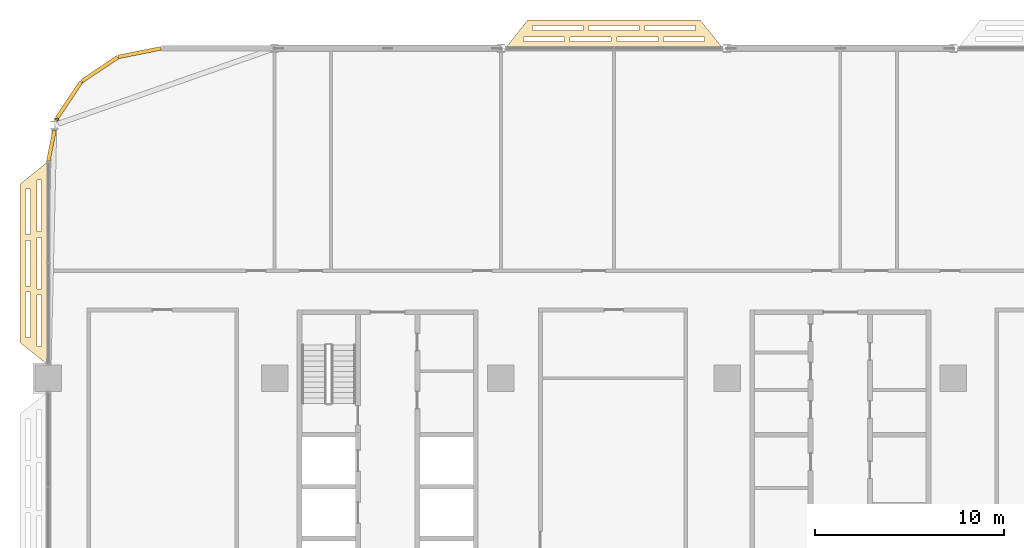
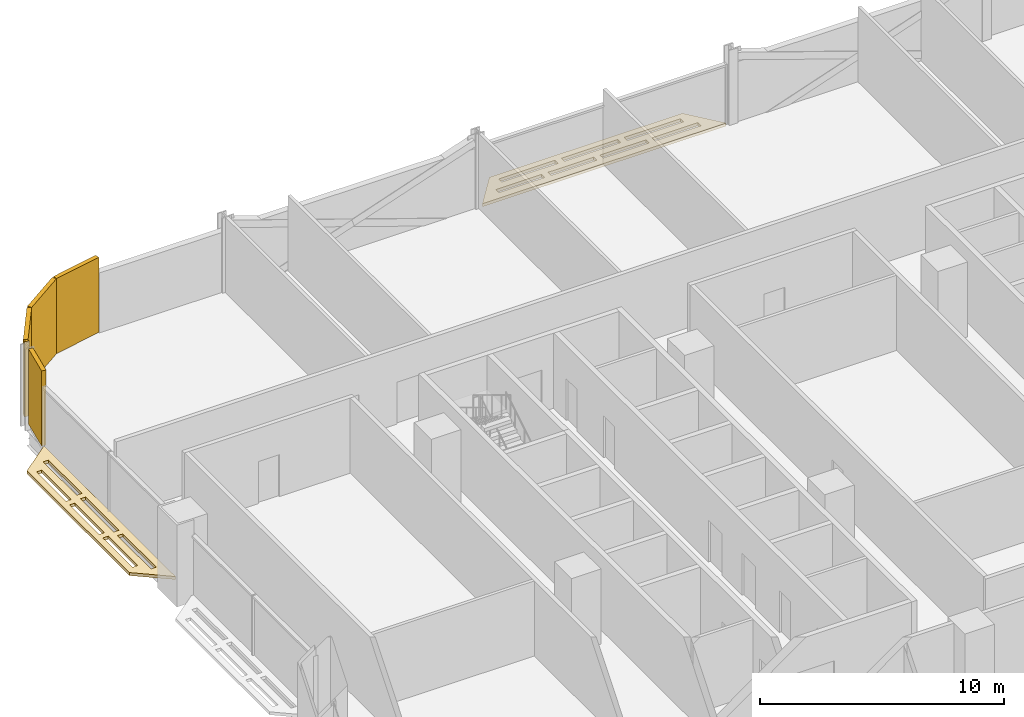
# One storey, part 27 of 29: 7 coverings.
"""IFC4 building model written with IfcOpenShell, lengths in metres."""

from ifc_helpers import new_model, si_unit, direction, frame, origin, origin_2d, place, context, subcontext, project, spatial, polyline, rectangle, outline, extrude, material, layer, layer_set, type_object, element, save


model = new_model("IFC4")

# Units and contexts
model_context = context("Model", 3, precision=1e-05, world=origin(), true_north=direction((0.0, 1.0)))
body_context = subcontext(model_context, "Body", "Model", "MODEL_VIEW")
ifc_project = project(units=[si_unit("LENGTHUNIT", "METRE"), si_unit("AREAUNIT", "SQUARE_METRE"), si_unit("VOLUMEUNIT", "CUBIC_METRE"), si_unit("PLANEANGLEUNIT", "RADIAN"), si_unit("MASSUNIT", "GRAM", prefix="KILO")], contexts=[model_context])

# Site, building, storey
site_placement = place(None, origin())
site = spatial("IfcSite", under=ifc_project, at=site_placement, CompositionType="ELEMENT")
building_placement = place(site_placement, origin())
building = spatial("IfcBuilding", under=site, at=building_placement, Name="Mahtab Terrace Research Tower", CompositionType="ELEMENT")
storey_placement = place(building_placement, frame((0.0, 0.0, 88.89990234375)))
storey = spatial("IfcBuildingStorey", under=building, at=storey_placement, Name="L20", CompositionType="ELEMENT", Elevation=88.89990234375)

# Coverings
ifc_material_1 = material(Name="Black aluminium cladding panel", Category="aluminium")
ifc_layer_1 = layer(ifc_material_1, 0.199951171875)
ifc_layer_set_1 = layer_set([ifc_layer_1], Name="Black metal corner cladding 200")
covering_type_1 = type_object("IfcCoveringType", Name="Black metal corner cladding 200", PredefinedType="CLADDING", material=ifc_layer_set_1)
for number, where, z_axis, x_axis, name in (
    (1, (-37.14794921875, 28.771484375, 0.0), (0.0, 0.0, 1.0), (-0.980760981187, -0.195212442692, 0.0), "Corner cladding L20 11"),
    (2, (-39.26953125, 27.89306640625, 0.0), (0.0, 0.0, 1.0), (-0.831655794326, -0.555291490808, 0.0), "Corner cladding L20 12"),
    (3, (-40.89306640625, 26.26953125, 0.0), (0.0, 0.0, 1.0), (-0.555291490808, -0.831655794326, 0.0), "Corner cladding L20 13"),
):
    element("IfcCovering", number, at=place(storey_placement, frame(where, z_axis=z_axis, x_axis=x_axis)), inside=storey, type_object=covering_type_1, Name=name, PredefinedType="CLADDING", context=body_context, shape_type="SweptSolid", body=[
        extrude(rectangle(XDim=2.30126953125, YDim=0.199951171875, at=origin_2d()), origin(), (0.0, 0.0, 1.0), 3.760009765625),
    ])
covering_1_placement = place(storey_placement, frame((-41.5556640625, 25.231689453125, 0.0), z_axis=(0.0, 0.0, 1.0), x_axis=(-0.195212442692, -0.980760981187, 0.0)))
element("IfcCovering", 4, at=covering_1_placement, inside=storey, type_object=covering_type_1, Name="Corner cladding L20 14", PredefinedType="CLADDING", context=body_context, shape_type="SweptSolid", body=[
    extrude(rectangle(XDim=0.11083984375, YDim=0.199951171875, at=origin_2d()), origin(), (0.0, 0.0, 1.0), 3.760009765625),
])
covering_2_placement = place(storey_placement, frame((-41.833740234375, 23.83544921875, 0.0), z_axis=(0.0, 0.0, 1.0), x_axis=(-0.195212442692, -0.980760981187, 0.0)))
element("IfcCovering", 5, at=covering_2_placement, inside=storey, type_object=covering_type_1, Name="Corner cladding L20 15", PredefinedType="CLADDING", context=body_context, shape_type="SweptSolid", body=[
    extrude(rectangle(XDim=1.6640625, YDim=0.199951171875, at=origin_2d()), origin(), (0.0, 0.0, 1.0), 3.760009765625),
])
ifc_material_2 = material(Name="Black anodised aluminium", Category="aluminium")
ifc_layer_2 = layer(ifc_material_2, 0.14990234375)
ifc_layer_set_2 = layer_set([ifc_layer_2], Name="Horizontal sunshade band")
covering_type_2 = type_object("IfcCoveringType", Name="Horizontal sunshade band", PredefinedType="CLADDING", material=ifc_layer_set_2)
covering_3_placement = place(storey_placement, frame((0.0, 0.0, -0.14990234375)))
element("IfcCovering", 6, at=covering_3_placement, inside=storey, type_object=covering_type_2, Name="Sunshade band L20 8", PredefinedType="CLADDING", context=body_context, shape_type="SweptSolid", body=[
    extrude(outline(polyline([(-6.22802734375, 29.0), (-17.77197265625, 29.0), (-16.572021484375, 30.5), (-7.427978515625, 30.5), (-6.22802734375, 29.0)]), holes=[polyline([(-7.2080078125, 29.35009765625), (-9.37890625, 29.35009765625), (-9.37890625, 29.60009765625), (-7.2080078125, 29.60009765625), (-7.2080078125, 29.35009765625)]), polyline([(-9.678955078125, 29.35009765625), (-11.85009765625, 29.35009765625), (-11.85009765625, 29.60009765625), (-9.678955078125, 29.60009765625), (-9.678955078125, 29.35009765625)]), polyline([(-12.14990234375, 29.35009765625), (-14.321044921875, 29.35009765625), (-14.321044921875, 29.60009765625), (-12.14990234375, 29.60009765625), (-12.14990234375, 29.35009765625)]), polyline([(-14.62109375, 29.35009765625), (-16.7919921875, 29.35009765625), (-16.7919921875, 29.60009765625), (-14.62109375, 29.60009765625), (-14.62109375, 29.35009765625)]), polyline([(-7.68798828125, 29.949951171875), (-10.363037109375, 29.949951171875), (-10.363037109375, 30.199951171875), (-7.68798828125, 30.199951171875), (-7.68798828125, 29.949951171875)]), polyline([(-10.6630859375, 29.949951171875), (-13.3369140625, 29.949951171875), (-13.3369140625, 30.199951171875), (-10.6630859375, 30.199951171875), (-10.6630859375, 29.949951171875)]), polyline([(-13.636962890625, 29.949951171875), (-16.31201171875, 29.949951171875), (-16.31201171875, 30.199951171875), (-13.636962890625, 30.199951171875), (-13.636962890625, 29.949951171875)])]), origin(), (0.0, 0.0, 1.0), 0.14990234375),
])
covering_4_placement = place(storey_placement, frame((0.0, 0.0, -0.14990234375)))
element("IfcCovering", 7, at=covering_4_placement, inside=storey, type_object=covering_type_2, Name="Sunshade band L20 16", PredefinedType="CLADDING", context=body_context, shape_type="SweptSolid", body=[
    extrude(outline(polyline([(-42.0, 23.0), (-42.0, 12.199951171875), (-43.5, 13.39990234375), (-43.5, 21.800048828125), (-42.0, 23.0)]), holes=[polyline([(-42.35009765625, 22.02001953125), (-42.35009765625, 19.27294921875), (-42.60009765625, 19.27294921875), (-42.60009765625, 22.02001953125), (-42.35009765625, 22.02001953125)]), polyline([(-42.35009765625, 18.972900390625), (-42.35009765625, 16.22705078125), (-42.60009765625, 16.22705078125), (-42.60009765625, 18.972900390625), (-42.35009765625, 18.972900390625)]), polyline([(-42.35009765625, 15.927001953125), (-42.35009765625, 13.179931640625), (-42.60009765625, 13.179931640625), (-42.60009765625, 15.927001953125), (-42.35009765625, 15.927001953125)]), polyline([(-42.949951171875, 21.5400390625), (-42.949951171875, 19.113037109375), (-43.199951171875, 19.113037109375), (-43.199951171875, 21.5400390625), (-42.949951171875, 21.5400390625)]), polyline([(-42.949951171875, 18.81298828125), (-42.949951171875, 16.386962890625), (-43.199951171875, 16.386962890625), (-43.199951171875, 18.81298828125), (-42.949951171875, 18.81298828125)]), polyline([(-42.949951171875, 16.0869140625), (-42.949951171875, 13.659912109375), (-43.199951171875, 13.659912109375), (-43.199951171875, 16.0869140625), (-42.949951171875, 16.0869140625)])]), origin(), (0.0, 0.0, 1.0), 0.14990234375),
])

save(model, "model.ifc")
